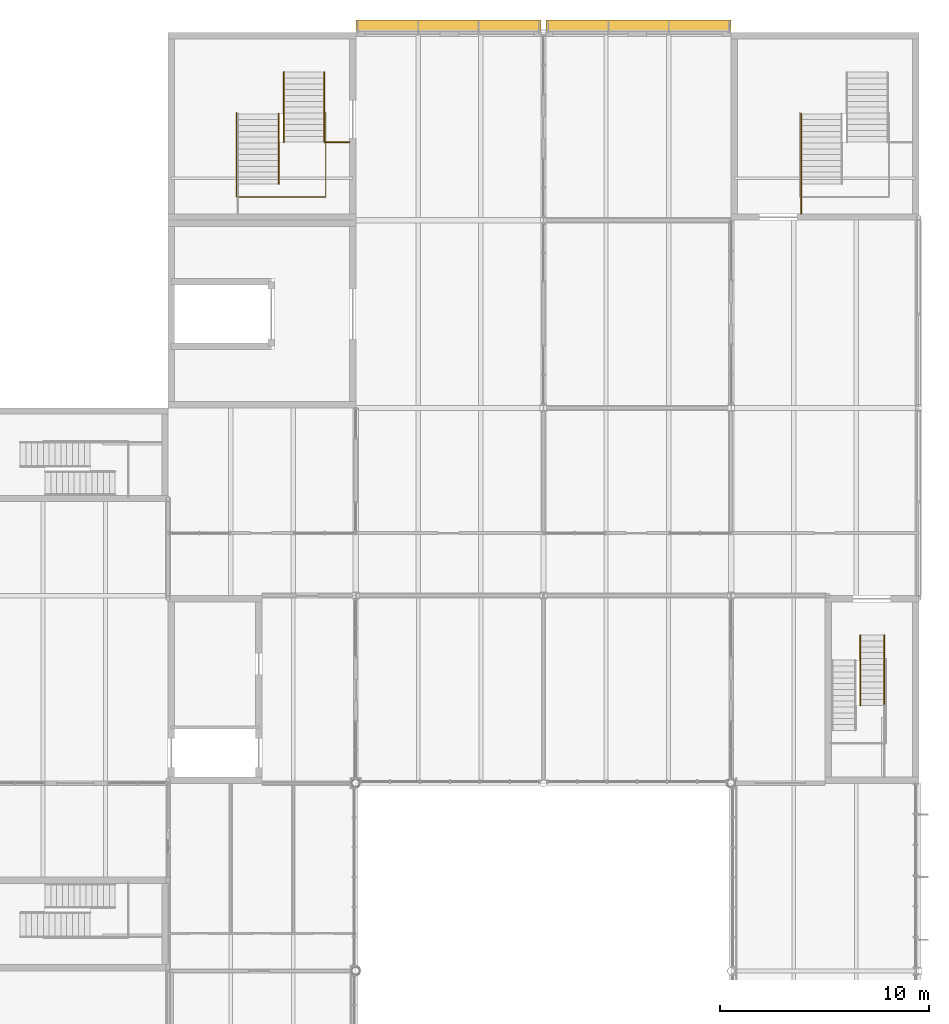
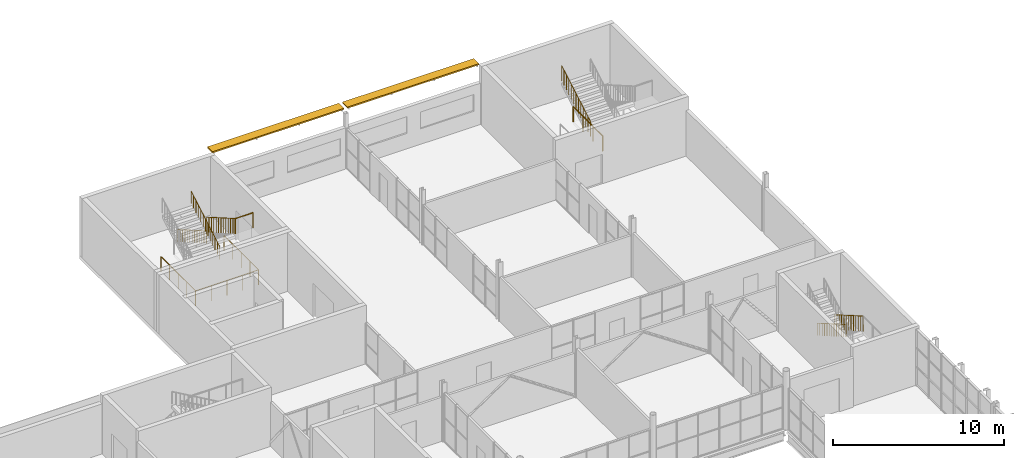
# One storey, part 56 of 57: 9 railings, 2 shading devices.
"""IFC4 building model written with IfcOpenShell, lengths in metres."""

from ifc_helpers import new_model, si_unit, direction, frame, origin, origin_2d, place, context, subcontext, project, spatial, rectangle, circle, extrude, material, layer, layer_set, type_object, element, save


model = new_model("IFC4")

# Units and contexts
model_context = context("Model", 3, precision=1e-05, world=origin(), true_north=direction((0.0, 1.0)))
body_context = subcontext(model_context, "Body", "Model", "MODEL_VIEW")
ifc_project = project(units=[si_unit("LENGTHUNIT", "METRE"), si_unit("AREAUNIT", "SQUARE_METRE"), si_unit("VOLUMEUNIT", "CUBIC_METRE"), si_unit("PLANEANGLEUNIT", "RADIAN"), si_unit("MASSUNIT", "GRAM", prefix="KILO")], contexts=[model_context])

# Site, building, storey
site_placement = place(None, origin())
site = spatial("IfcSite", under=ifc_project, at=site_placement, CompositionType="ELEMENT")
building_placement = place(site_placement, origin())
building = spatial("IfcBuilding", under=site, at=building_placement, Name="Halyard Row Museum", CompositionType="ELEMENT")
storey_placement = place(building_placement, frame((0.0, 0.0, 5.0)))
storey = spatial("IfcBuildingStorey", under=building, at=storey_placement, Name="L01", CompositionType="ELEMENT", Elevation=5.0)

# Railings
ifc_material_1 = material(Name="Steel Grade 300", Category="steel")
railing_type_1 = type_object("IfcRailingType", Name="Guard GR2 steel balustrade 1100", PredefinedType="GUARDRAIL", material=ifc_material_1)
railing_1_placement = place(storey_placement, frame((106.35009765625, 34.10009765625, 0.16162109375)))
element("IfcRailing", 1, at=railing_1_placement, inside=storey, type_object=railing_type_1, Name="Guard GR067", PredefinedType="GUARDRAIL", context=body_context, shape_type="SweptSolid", body=[
    extrude(circle(Radius=0.02392578125, at=origin_2d()), frame((0.0, 0.0, 1.076171875), z_axis=(0.0, -0.866424426198, 0.49930823515), x_axis=(1.0, 0.0, 0.0)), (0.0, 0.0, 1.0), 0.3232421875),
    extrude(circle(Radius=0.02392578125, at=origin_2d()), frame((0.0, -0.280029296875, 1.2373046875), z_axis=(0.0, -0.86609757561, 0.499874973892), x_axis=(1.0, 0.0, 0.0)), (0.0, 0.0, 1.0), 0.3232421875),
    extrude(circle(Radius=0.02392578125, at=origin_2d()), frame((0.0, -0.56005859375, 1.39892578125), z_axis=(0.0, -0.86609757561, 0.499874973892), x_axis=(1.0, 0.0, 0.0)), (0.0, 0.0, 1.0), 0.3232421875),
    extrude(circle(Radius=0.02392578125, at=origin_2d()), frame((0.0, -0.840087890625, 1.560546875), z_axis=(0.0, -0.866424426198, 0.49930823515), x_axis=(1.0, 0.0, 0.0)), (0.0, 0.0, 1.0), 0.3232421875),
    extrude(circle(Radius=0.02392578125, at=origin_2d()), frame((0.0, -1.1201171875, 1.72216796875), z_axis=(0.0, -0.86609757561, 0.499874973892), x_axis=(1.0, 0.0, 0.0)), (0.0, 0.0, 1.0), 0.3232421875),
    extrude(circle(Radius=0.02392578125, at=origin_2d()), frame((0.0, -1.400146484375, 1.8837890625), z_axis=(0.0, -0.86609757561, 0.499874973892), x_axis=(1.0, 0.0, 0.0)), (0.0, 0.0, 1.0), 0.3232421875),
    extrude(circle(Radius=0.02392578125, at=origin_2d()), frame((0.0, -1.68017578125, 2.04541015625), z_axis=(0.0, -0.866424426198, 0.49930823515), x_axis=(1.0, 0.0, 0.0)), (0.0, 0.0, 1.0), 0.3232421875),
    extrude(circle(Radius=0.02392578125, at=origin_2d()), frame((0.0, -1.960205078125, 2.20654296875), z_axis=(0.0, -0.865908710228, 0.500202064721), x_axis=(1.0, 0.0, 0.0)), (0.0, 0.0, 1.0), 0.322998046875),
    extrude(circle(Radius=0.02392578125, at=origin_2d()), frame((0.0, -2.239990234375, 2.3681640625), z_axis=(0.0, -0.86609757561, 0.499874973892), x_axis=(1.0, 0.0, 0.0)), (0.0, 0.0, 1.0), 0.3232421875),
    extrude(circle(Radius=0.02392578125, at=origin_2d()), frame((0.0, -2.52001953125, 2.52978515625), z_axis=(0.0, -0.866424426198, 0.49930823515), x_axis=(1.0, 0.0, 0.0)), (0.0, 0.0, 1.0), 0.3232421875),
    extrude(circle(Radius=0.02392578125, at=origin_2d()), frame((0.0, -2.800048828125, 2.69140625), z_axis=(0.0, -0.86609757561, 0.499874973892), x_axis=(1.0, 0.0, 0.0)), (0.0, 0.0, 1.0), 0.3232421875),
    extrude(circle(Radius=0.02392578125, at=origin_2d()), frame((0.0, -3.080078125, 2.85302734375), z_axis=(0.0, -0.86609757561, 0.499874973892), x_axis=(1.0, 0.0, 0.0)), (0.0, 0.0, 1.0), 0.3232421875),
    extrude(circle(Radius=0.02099609375, at=origin_2d()), origin(), (0.0, 0.0, 1.0), 1.052001953125),
    extrude(circle(Radius=0.02099609375, at=origin_2d()), frame((0.0, -0.280029296875, 0.161376953125)), (0.0, 0.0, 1.0), 1.052001953125),
    extrude(circle(Radius=0.02099609375, at=origin_2d()), frame((0.0, -0.56005859375, 0.322998046875)), (0.0, 0.0, 1.0), 1.052001953125),
    extrude(circle(Radius=0.02099609375, at=origin_2d()), frame((0.0, -0.840087890625, 0.484619140625)), (0.0, 0.0, 1.0), 1.052001953125),
    extrude(circle(Radius=0.02099609375, at=origin_2d()), frame((0.0, -1.1201171875, 0.64599609375)), (0.0, 0.0, 1.0), 1.052001953125),
    extrude(circle(Radius=0.02099609375, at=origin_2d()), frame((0.0, -1.400146484375, 0.8076171875)), (0.0, 0.0, 1.0), 1.052001953125),
    extrude(circle(Radius=0.02099609375, at=origin_2d()), frame((0.0, -1.68017578125, 0.96923828125)), (0.0, 0.0, 1.0), 1.052001953125),
    extrude(circle(Radius=0.02099609375, at=origin_2d()), frame((0.0, -1.960205078125, 1.130615234375)), (0.0, 0.0, 1.0), 1.052001953125),
    extrude(circle(Radius=0.02099609375, at=origin_2d()), frame((0.0, -2.239990234375, 1.292236328125)), (0.0, 0.0, 1.0), 1.052001953125),
    extrude(circle(Radius=0.02099609375, at=origin_2d()), frame((0.0, -2.52001953125, 1.453857421875)), (0.0, 0.0, 1.0), 1.052001953125),
    extrude(circle(Radius=0.02099609375, at=origin_2d()), frame((0.0, -2.800048828125, 1.615234375)), (0.0, 0.0, 1.0), 1.052001953125),
    extrude(circle(Radius=0.02099609375, at=origin_2d()), frame((0.0, -3.080078125, 1.77685546875)), (0.0, 0.0, 1.0), 1.052001953125),
    extrude(circle(Radius=0.02099609375, at=origin_2d()), frame((0.0, -3.360107421875, 1.9384765625)), (0.0, 0.0, 1.0), 1.052001953125),
])
railing_2_placement = place(storey_placement, frame((79.5, 61.10009765625, 0.16162109375)))
element("IfcRailing", 2, at=railing_2_placement, inside=storey, type_object=railing_type_1, Name="Guard GR104", PredefinedType="GUARDRAIL", context=body_context, shape_type="SweptSolid", body=[
    extrude(circle(Radius=0.02392578125, at=origin_2d()), frame((0.0, 0.0, 1.076171875), z_axis=(0.0, -0.866424426198, 0.49930823515), x_axis=(1.0, 0.0, 0.0)), (0.0, 0.0, 1.0), 0.3232421875),
    extrude(circle(Radius=0.02392578125, at=origin_2d()), frame((0.0, -0.280029296875, 1.2373046875), z_axis=(0.0, -0.86609757561, 0.499874973892), x_axis=(1.0, 0.0, 0.0)), (0.0, 0.0, 1.0), 0.3232421875),
    extrude(circle(Radius=0.02392578125, at=origin_2d()), frame((0.0, -0.56005859375, 1.39892578125), z_axis=(0.0, -0.86609757561, 0.499874973892), x_axis=(1.0, 0.0, 0.0)), (0.0, 0.0, 1.0), 0.3232421875),
    extrude(circle(Radius=0.02392578125, at=origin_2d()), frame((0.0, -0.840087890625, 1.560546875), z_axis=(0.0, -0.866424426198, 0.49930823515), x_axis=(1.0, 0.0, 0.0)), (0.0, 0.0, 1.0), 0.3232421875),
    extrude(circle(Radius=0.02392578125, at=origin_2d()), frame((0.0, -1.1201171875, 1.72216796875), z_axis=(0.0, -0.86609757561, 0.499874973892), x_axis=(1.0, 0.0, 0.0)), (0.0, 0.0, 1.0), 0.3232421875),
    extrude(circle(Radius=0.02392578125, at=origin_2d()), frame((0.0, -1.400146484375, 1.8837890625), z_axis=(0.0, -0.86609757561, 0.499874973892), x_axis=(1.0, 0.0, 0.0)), (0.0, 0.0, 1.0), 0.3232421875),
    extrude(circle(Radius=0.02392578125, at=origin_2d()), frame((0.0, -1.68017578125, 2.04541015625), z_axis=(0.0, -0.866424426198, 0.49930823515), x_axis=(1.0, 0.0, 0.0)), (0.0, 0.0, 1.0), 0.3232421875),
    extrude(circle(Radius=0.02392578125, at=origin_2d()), frame((0.0, -1.960205078125, 2.20654296875), z_axis=(0.0, -0.865908710228, 0.500202064721), x_axis=(1.0, 0.0, 0.0)), (0.0, 0.0, 1.0), 0.322998046875),
    extrude(circle(Radius=0.02392578125, at=origin_2d()), frame((0.0, -2.239990234375, 2.3681640625), z_axis=(0.0, -0.86609757561, 0.499874973892), x_axis=(1.0, 0.0, 0.0)), (0.0, 0.0, 1.0), 0.3232421875),
    extrude(circle(Radius=0.02392578125, at=origin_2d()), frame((0.0, -2.52001953125, 2.52978515625), z_axis=(0.0, -0.866424426198, 0.49930823515), x_axis=(1.0, 0.0, 0.0)), (0.0, 0.0, 1.0), 0.3232421875),
    extrude(circle(Radius=0.02392578125, at=origin_2d()), frame((0.0, -2.800048828125, 2.69140625), z_axis=(0.0, -0.86609757561, 0.499874973892), x_axis=(1.0, 0.0, 0.0)), (0.0, 0.0, 1.0), 0.3232421875),
    extrude(circle(Radius=0.02392578125, at=origin_2d()), frame((0.0, -3.080078125, 2.85302734375), z_axis=(0.0, -0.86609757561, 0.499874973892), x_axis=(1.0, 0.0, 0.0)), (0.0, 0.0, 1.0), 0.3232421875),
    extrude(circle(Radius=0.02099609375, at=origin_2d()), origin(), (0.0, 0.0, 1.0), 1.052001953125),
    extrude(circle(Radius=0.02099609375, at=origin_2d()), frame((0.0, -0.280029296875, 0.161376953125)), (0.0, 0.0, 1.0), 1.052001953125),
    extrude(circle(Radius=0.02099609375, at=origin_2d()), frame((0.0, -0.56005859375, 0.322998046875)), (0.0, 0.0, 1.0), 1.052001953125),
    extrude(circle(Radius=0.02099609375, at=origin_2d()), frame((0.0, -0.840087890625, 0.484619140625)), (0.0, 0.0, 1.0), 1.052001953125),
    extrude(circle(Radius=0.02099609375, at=origin_2d()), frame((0.0, -1.1201171875, 0.64599609375)), (0.0, 0.0, 1.0), 1.052001953125),
    extrude(circle(Radius=0.02099609375, at=origin_2d()), frame((0.0, -1.400146484375, 0.8076171875)), (0.0, 0.0, 1.0), 1.052001953125),
    extrude(circle(Radius=0.02099609375, at=origin_2d()), frame((0.0, -1.68017578125, 0.96923828125)), (0.0, 0.0, 1.0), 1.052001953125),
    extrude(circle(Radius=0.02099609375, at=origin_2d()), frame((0.0, -1.960205078125, 1.130615234375)), (0.0, 0.0, 1.0), 1.052001953125),
    extrude(circle(Radius=0.02099609375, at=origin_2d()), frame((0.0, -2.239990234375, 1.292236328125)), (0.0, 0.0, 1.0), 1.052001953125),
    extrude(circle(Radius=0.02099609375, at=origin_2d()), frame((0.0, -2.52001953125, 1.453857421875)), (0.0, 0.0, 1.0), 1.052001953125),
    extrude(circle(Radius=0.02099609375, at=origin_2d()), frame((0.0, -2.800048828125, 1.615234375)), (0.0, 0.0, 1.0), 1.052001953125),
    extrude(circle(Radius=0.02099609375, at=origin_2d()), frame((0.0, -3.080078125, 1.77685546875)), (0.0, 0.0, 1.0), 1.052001953125),
    extrude(circle(Radius=0.02099609375, at=origin_2d()), frame((0.0, -3.360107421875, 1.9384765625)), (0.0, 0.0, 1.0), 1.052001953125),
])
railing_3_placement = place(storey_placement, frame((80.699951171875, 57.739990234375, 2.10009765625)))
element("IfcRailing", 3, at=railing_3_placement, inside=storey, type_object=railing_type_1, Name="Guard GR106", PredefinedType="GUARDRAIL", context=body_context, shape_type="SweptSolid", body=[
    extrude(circle(Radius=0.02392578125, at=origin_2d()), frame((0.0, 0.0, 1.076171875), z_axis=(-1.0, 0.0, 0.0), x_axis=(0.0, -1.0, 0.0)), (0.0, 0.0, 1.0), 1.199951171875),
    extrude(circle(Radius=0.02099609375, at=origin_2d()), origin(), (0.0, 0.0, 1.0), 1.052001953125),
    extrude(circle(Radius=0.02099609375, at=origin_2d()), frame((-1.199951171875, 0.0, 0.0)), (0.0, 0.0, 1.0), 1.052001953125),
])
railing_4_placement = place(storey_placement, frame((102.35009765625, 55.739990234375, 2.261474609375)))
element("IfcRailing", 4, at=railing_4_placement, inside=storey, type_object=railing_type_1, Name="Guard GR121", PredefinedType="GUARDRAIL", context=body_context, shape_type="SweptSolid", body=[
    extrude(circle(Radius=0.02392578125, at=origin_2d()), frame((0.0, 0.0, 1.076171875), z_axis=(0.0, 0.86609757561, 0.499874973892), x_axis=(-1.0, 0.0, 0.0)), (0.0, 0.0, 1.0), 0.3232421875),
    extrude(circle(Radius=0.02392578125, at=origin_2d()), frame((0.0, 0.280029296875, 1.23779296875), z_axis=(0.0, 0.86609757561, 0.499874973892), x_axis=(-1.0, 0.0, 0.0)), (0.0, 0.0, 1.0), 0.3232421875),
    extrude(circle(Radius=0.02392578125, at=origin_2d()), frame((0.0, 0.56005859375, 1.3994140625), z_axis=(0.0, 0.866424426198, 0.49930823515), x_axis=(-1.0, 0.0, 0.0)), (0.0, 0.0, 1.0), 0.3232421875),
    extrude(circle(Radius=0.02392578125, at=origin_2d()), frame((0.0, 0.840087890625, 1.560546875), z_axis=(0.0, 0.86609757561, 0.499874973892), x_axis=(-1.0, 0.0, 0.0)), (0.0, 0.0, 1.0), 0.3232421875),
    extrude(circle(Radius=0.02392578125, at=origin_2d()), frame((0.0, 1.1201171875, 1.72216796875), z_axis=(0.0, 0.865908710228, 0.500202064721), x_axis=(-1.0, 0.0, 0.0)), (0.0, 0.0, 1.0), 0.322998046875),
    extrude(circle(Radius=0.02392578125, at=origin_2d()), frame((0.0, 1.39990234375, 1.8837890625), z_axis=(0.0, 0.866424426198, 0.49930823515), x_axis=(-1.0, 0.0, 0.0)), (0.0, 0.0, 1.0), 0.3232421875),
    extrude(circle(Radius=0.02392578125, at=origin_2d()), frame((0.0, 1.679931640625, 2.04541015625), z_axis=(0.0, 0.86609757561, 0.499874973892), x_axis=(-1.0, 0.0, 0.0)), (0.0, 0.0, 1.0), 0.3232421875),
    extrude(circle(Radius=0.02392578125, at=origin_2d()), frame((0.0, 1.9599609375, 2.20703125), z_axis=(0.0, 0.86609757561, 0.499874973892), x_axis=(-1.0, 0.0, 0.0)), (0.0, 0.0, 1.0), 0.3232421875),
    extrude(circle(Radius=0.02392578125, at=origin_2d()), frame((0.0, 2.239990234375, 2.36865234375), z_axis=(0.0, 0.866424426198, 0.49930823515), x_axis=(-1.0, 0.0, 0.0)), (0.0, 0.0, 1.0), 0.3232421875),
    extrude(circle(Radius=0.02392578125, at=origin_2d()), frame((0.0, 2.52001953125, 2.52978515625), z_axis=(0.0, 0.86609757561, 0.499874973892), x_axis=(-1.0, 0.0, 0.0)), (0.0, 0.0, 1.0), 0.3232421875),
    extrude(circle(Radius=0.02392578125, at=origin_2d()), frame((0.0, 2.800048828125, 2.69140625), z_axis=(0.0, 0.86609757561, 0.499874973892), x_axis=(-1.0, 0.0, 0.0)), (0.0, 0.0, 1.0), 0.3232421875),
    extrude(circle(Radius=0.02392578125, at=origin_2d()), frame((0.0, 3.080078125, 2.85302734375), z_axis=(0.0, 0.866424426198, 0.49930823515), x_axis=(-1.0, 0.0, 0.0)), (0.0, 0.0, 1.0), 0.3232421875),
    extrude(circle(Radius=0.02099609375, at=origin_2d()), origin(), (0.0, 0.0, 1.0), 1.052001953125),
    extrude(circle(Radius=0.02099609375, at=origin_2d()), frame((0.0, 0.280029296875, 0.16162109375)), (0.0, 0.0, 1.0), 1.052001953125),
    extrude(circle(Radius=0.02099609375, at=origin_2d()), frame((0.0, 0.56005859375, 0.3232421875)), (0.0, 0.0, 1.0), 1.052001953125),
    extrude(circle(Radius=0.02099609375, at=origin_2d()), frame((0.0, 0.840087890625, 0.484619140625)), (0.0, 0.0, 1.0), 1.052001953125),
    extrude(circle(Radius=0.02099609375, at=origin_2d()), frame((0.0, 1.1201171875, 0.646240234375)), (0.0, 0.0, 1.0), 1.052001953125),
    extrude(circle(Radius=0.02099609375, at=origin_2d()), frame((0.0, 1.39990234375, 0.807861328125)), (0.0, 0.0, 1.0), 1.052001953125),
    extrude(circle(Radius=0.02099609375, at=origin_2d()), frame((0.0, 1.679931640625, 0.96923828125)), (0.0, 0.0, 1.0), 1.052001953125),
    extrude(circle(Radius=0.02099609375, at=origin_2d()), frame((0.0, 1.9599609375, 1.130859375)), (0.0, 0.0, 1.0), 1.052001953125),
    extrude(circle(Radius=0.02099609375, at=origin_2d()), frame((0.0, 2.239990234375, 1.29248046875)), (0.0, 0.0, 1.0), 1.052001953125),
    extrude(circle(Radius=0.02099609375, at=origin_2d()), frame((0.0, 2.52001953125, 1.453857421875)), (0.0, 0.0, 1.0), 1.052001953125),
    extrude(circle(Radius=0.02099609375, at=origin_2d()), frame((0.0, 2.800048828125, 1.615478515625)), (0.0, 0.0, 1.0), 1.052001953125),
    extrude(circle(Radius=0.02099609375, at=origin_2d()), frame((0.0, 3.080078125, 1.777099609375)), (0.0, 0.0, 1.0), 1.052001953125),
    extrude(circle(Radius=0.02099609375, at=origin_2d()), frame((0.0, 3.360107421875, 1.9384765625)), (0.0, 0.0, 1.0), 1.052001953125),
])
railing_5_placement = place(storey_placement, frame((102.35009765625, 57.739990234375, 2.10009765625)))
element("IfcRailing", 5, at=railing_5_placement, inside=storey, type_object=railing_type_1, Name="Guard GR123", PredefinedType="GUARDRAIL", context=body_context, shape_type="SweptSolid", body=[
    extrude(circle(Radius=0.02392578125, at=origin_2d()), frame((0.0, 0.0, 1.076171875), z_axis=(0.0, -1.0, 0.0), x_axis=(1.0, 0.0, 0.0)), (0.0, 0.0, 1.0), 3.43994140625),
    extrude(circle(Radius=0.02099609375, at=origin_2d()), origin(), (0.0, 0.0, 1.0), 1.052001953125),
    extrude(circle(Radius=0.02099609375, at=origin_2d()), frame((0.0, -1.146728515625, 0.0)), (0.0, 0.0, 1.0), 1.052001953125),
    extrude(circle(Radius=0.02099609375, at=origin_2d()), frame((0.0, -2.293212890625, 0.0)), (0.0, 0.0, 1.0), 1.052001953125),
    extrude(circle(Radius=0.02099609375, at=origin_2d()), frame((0.0, -3.43994140625, 0.0)), (0.0, 0.0, 1.0), 1.052001953125),
])
railing_6_placement = place(storey_placement, frame((79.56005859375, 59.159912109375, 0.0)))
element("IfcRailing", 6, at=railing_6_placement, inside=storey, type_object=railing_type_1, Name="Guard GR182", PredefinedType="GUARDRAIL", context=body_context, shape_type="SweptSolid", body=[
    extrude(circle(Radius=0.02392578125, at=origin_2d()), frame((0.0, 0.0, 1.076171875), z_axis=(0.0, -1.0, 0.0), x_axis=(1.0, 0.0, 0.0)), (0.0, 0.0, 1.0), 4.039794921875),
    extrude(circle(Radius=0.02392578125, at=origin_2d()), frame((0.0, -4.039794921875, 1.076171875), z_axis=(-1.0, 0.0, 0.0), x_axis=(0.0, -1.0, 0.0)), (0.0, 0.0, 1.0), 4.27001953125),
    extrude(circle(Radius=0.02392578125, at=origin_2d()), frame((-4.27001953125, -4.039794921875, 1.076171875), z_axis=(0.0, 1.0, 0.0), x_axis=(-1.0, 0.0, 0.0)), (0.0, 0.0, 1.0), 4.039794921875),
    extrude(circle(Radius=0.02099609375, at=origin_2d()), origin(), (0.0, 0.0, 1.0), 1.052001953125),
    extrude(circle(Radius=0.02099609375, at=origin_2d()), frame((0.0, -1.010009765625, 0.0)), (0.0, 0.0, 1.0), 1.052001953125),
    extrude(circle(Radius=0.02099609375, at=origin_2d()), frame((0.0, -2.02001953125, 0.0)), (0.0, 0.0, 1.0), 1.052001953125),
    extrude(circle(Radius=0.02099609375, at=origin_2d()), frame((0.0, -3.02978515625, 0.0)), (0.0, 0.0, 1.0), 1.052001953125),
    extrude(circle(Radius=0.02099609375, at=origin_2d()), frame((0.0, -4.039794921875, 0.0)), (0.0, 0.0, 1.0), 1.052001953125),
    extrude(circle(Radius=0.02099609375, at=origin_2d()), frame((-1.0673828125, -4.039794921875, 0.0)), (0.0, 0.0, 1.0), 1.052001953125),
    extrude(circle(Radius=0.02099609375, at=origin_2d()), frame((-2.135009765625, -4.039794921875, 0.0)), (0.0, 0.0, 1.0), 1.052001953125),
    extrude(circle(Radius=0.02099609375, at=origin_2d()), frame((-3.20263671875, -4.039794921875, 0.0)), (0.0, 0.0, 1.0), 1.052001953125),
    extrude(circle(Radius=0.02099609375, at=origin_2d()), frame((-4.27001953125, -4.039794921875, 0.0)), (0.0, 0.0, 1.0), 1.052001953125),
    extrude(circle(Radius=0.02099609375, at=origin_2d()), frame((-4.27001953125, -3.02978515625, 0.0)), (0.0, 0.0, 1.0), 1.052001953125),
    extrude(circle(Radius=0.02099609375, at=origin_2d()), frame((-4.27001953125, -2.02001953125, 0.0)), (0.0, 0.0, 1.0), 1.052001953125),
    extrude(circle(Radius=0.02099609375, at=origin_2d()), frame((-4.27001953125, -1.010009765625, 0.0)), (0.0, 0.0, 1.0), 1.052001953125),
    extrude(circle(Radius=0.02099609375, at=origin_2d()), frame((-4.27001953125, 0.0, 0.0)), (0.0, 0.0, 1.0), 1.052001953125),
])
ifc_material_2 = material(Name="Steel Grade 300", Category="steel")
railing_type_2 = type_object("IfcRailingType", Name="Handrail HR2 steel 900", PredefinedType="HANDRAIL", material=ifc_material_2)
railing_7_placement = place(storey_placement, frame((105.199951171875, 34.10009765625, 0.16162109375)))
element("IfcRailing", 7, at=railing_7_placement, inside=storey, type_object=railing_type_2, Name="Handrail HR097", PredefinedType="HANDRAIL", context=body_context, shape_type="SweptSolid", body=[
    extrude(circle(Radius=0.02392578125, at=origin_2d()), frame((0.0, 0.0, 0.8759765625), z_axis=(0.0, -0.866424426198, 0.49930823515), x_axis=(1.0, 0.0, 0.0)), (0.0, 0.0, 1.0), 0.3232421875),
    extrude(circle(Radius=0.02392578125, at=origin_2d()), frame((0.0, -0.280029296875, 1.037109375), z_axis=(0.0, -0.86609757561, 0.499874973892), x_axis=(1.0, 0.0, 0.0)), (0.0, 0.0, 1.0), 0.3232421875),
    extrude(circle(Radius=0.02392578125, at=origin_2d()), frame((0.0, -0.56005859375, 1.19873046875), z_axis=(0.0, -0.86609757561, 0.499874973892), x_axis=(1.0, 0.0, 0.0)), (0.0, 0.0, 1.0), 0.3232421875),
    extrude(circle(Radius=0.02392578125, at=origin_2d()), frame((0.0, -0.840087890625, 1.3603515625), z_axis=(0.0, -0.866424426198, 0.49930823515), x_axis=(1.0, 0.0, 0.0)), (0.0, 0.0, 1.0), 0.3232421875),
    extrude(circle(Radius=0.02392578125, at=origin_2d()), frame((0.0, -1.1201171875, 1.52197265625), z_axis=(0.0, -0.86609757561, 0.499874973892), x_axis=(1.0, 0.0, 0.0)), (0.0, 0.0, 1.0), 0.3232421875),
    extrude(circle(Radius=0.02392578125, at=origin_2d()), frame((0.0, -1.400146484375, 1.68359375), z_axis=(0.0, -0.86609757561, 0.499874973892), x_axis=(1.0, 0.0, 0.0)), (0.0, 0.0, 1.0), 0.3232421875),
    extrude(circle(Radius=0.02392578125, at=origin_2d()), frame((0.0, -1.68017578125, 1.84521484375), z_axis=(0.0, -0.866424426198, 0.49930823515), x_axis=(1.0, 0.0, 0.0)), (0.0, 0.0, 1.0), 0.3232421875),
    extrude(circle(Radius=0.02392578125, at=origin_2d()), frame((0.0, -1.960205078125, 2.00634765625), z_axis=(0.0, -0.865908710228, 0.500202064721), x_axis=(1.0, 0.0, 0.0)), (0.0, 0.0, 1.0), 0.322998046875),
    extrude(circle(Radius=0.02392578125, at=origin_2d()), frame((0.0, -2.239990234375, 2.16796875), z_axis=(0.0, -0.86609757561, 0.499874973892), x_axis=(1.0, 0.0, 0.0)), (0.0, 0.0, 1.0), 0.3232421875),
    extrude(circle(Radius=0.02392578125, at=origin_2d()), frame((0.0, -2.52001953125, 2.32958984375), z_axis=(0.0, -0.866424426198, 0.49930823515), x_axis=(1.0, 0.0, 0.0)), (0.0, 0.0, 1.0), 0.3232421875),
    extrude(circle(Radius=0.02392578125, at=origin_2d()), frame((0.0, -2.800048828125, 2.4912109375), z_axis=(0.0, -0.86609757561, 0.499874973892), x_axis=(1.0, 0.0, 0.0)), (0.0, 0.0, 1.0), 0.3232421875),
    extrude(circle(Radius=0.02392578125, at=origin_2d()), frame((0.0, -3.080078125, 2.65283203125), z_axis=(0.0, -0.86609757561, 0.499874973892), x_axis=(1.0, 0.0, 0.0)), (0.0, 0.0, 1.0), 0.3232421875),
    extrude(circle(Radius=0.02099609375, at=origin_2d()), origin(), (0.0, 0.0, 1.0), 0.851806640625),
    extrude(circle(Radius=0.02099609375, at=origin_2d()), frame((0.0, -0.280029296875, 0.161376953125)), (0.0, 0.0, 1.0), 0.851806640625),
    extrude(circle(Radius=0.02099609375, at=origin_2d()), frame((0.0, -0.56005859375, 0.322998046875)), (0.0, 0.0, 1.0), 0.851806640625),
    extrude(circle(Radius=0.02099609375, at=origin_2d()), frame((0.0, -0.840087890625, 0.484619140625)), (0.0, 0.0, 1.0), 0.851806640625),
    extrude(circle(Radius=0.02099609375, at=origin_2d()), frame((0.0, -1.1201171875, 0.64599609375)), (0.0, 0.0, 1.0), 0.851806640625),
    extrude(circle(Radius=0.02099609375, at=origin_2d()), frame((0.0, -1.400146484375, 0.8076171875)), (0.0, 0.0, 1.0), 0.851806640625),
    extrude(circle(Radius=0.02099609375, at=origin_2d()), frame((0.0, -1.68017578125, 0.96923828125)), (0.0, 0.0, 1.0), 0.851806640625),
    extrude(circle(Radius=0.02099609375, at=origin_2d()), frame((0.0, -1.960205078125, 1.130615234375)), (0.0, 0.0, 1.0), 0.851806640625),
    extrude(circle(Radius=0.02099609375, at=origin_2d()), frame((0.0, -2.239990234375, 1.292236328125)), (0.0, 0.0, 1.0), 0.851806640625),
    extrude(circle(Radius=0.02099609375, at=origin_2d()), frame((0.0, -2.52001953125, 1.453857421875)), (0.0, 0.0, 1.0), 0.851806640625),
    extrude(circle(Radius=0.02099609375, at=origin_2d()), frame((0.0, -2.800048828125, 1.615234375)), (0.0, 0.0, 1.0), 0.851806640625),
    extrude(circle(Radius=0.02099609375, at=origin_2d()), frame((0.0, -3.080078125, 1.77685546875)), (0.0, 0.0, 1.0), 0.851806640625),
    extrude(circle(Radius=0.02099609375, at=origin_2d()), frame((0.0, -3.360107421875, 1.9384765625)), (0.0, 0.0, 1.0), 0.851806640625),
])
railing_8_placement = place(storey_placement, frame((77.550048828125, 61.10009765625, 0.16162109375)))
element("IfcRailing", 8, at=railing_8_placement, inside=storey, type_object=railing_type_2, Name="Handrail HR139", PredefinedType="HANDRAIL", context=body_context, shape_type="SweptSolid", body=[
    extrude(circle(Radius=0.02392578125, at=origin_2d()), frame((0.0, 0.0, 0.8759765625), z_axis=(0.0, -0.866424426198, 0.49930823515), x_axis=(1.0, 0.0, 0.0)), (0.0, 0.0, 1.0), 0.3232421875),
    extrude(circle(Radius=0.02392578125, at=origin_2d()), frame((0.0, -0.280029296875, 1.037109375), z_axis=(0.0, -0.86609757561, 0.499874973892), x_axis=(1.0, 0.0, 0.0)), (0.0, 0.0, 1.0), 0.3232421875),
    extrude(circle(Radius=0.02392578125, at=origin_2d()), frame((0.0, -0.56005859375, 1.19873046875), z_axis=(0.0, -0.86609757561, 0.499874973892), x_axis=(1.0, 0.0, 0.0)), (0.0, 0.0, 1.0), 0.3232421875),
    extrude(circle(Radius=0.02392578125, at=origin_2d()), frame((0.0, -0.840087890625, 1.3603515625), z_axis=(0.0, -0.866424426198, 0.49930823515), x_axis=(1.0, 0.0, 0.0)), (0.0, 0.0, 1.0), 0.3232421875),
    extrude(circle(Radius=0.02392578125, at=origin_2d()), frame((0.0, -1.1201171875, 1.52197265625), z_axis=(0.0, -0.86609757561, 0.499874973892), x_axis=(1.0, 0.0, 0.0)), (0.0, 0.0, 1.0), 0.3232421875),
    extrude(circle(Radius=0.02392578125, at=origin_2d()), frame((0.0, -1.400146484375, 1.68359375), z_axis=(0.0, -0.86609757561, 0.499874973892), x_axis=(1.0, 0.0, 0.0)), (0.0, 0.0, 1.0), 0.3232421875),
    extrude(circle(Radius=0.02392578125, at=origin_2d()), frame((0.0, -1.68017578125, 1.84521484375), z_axis=(0.0, -0.866424426198, 0.49930823515), x_axis=(1.0, 0.0, 0.0)), (0.0, 0.0, 1.0), 0.3232421875),
    extrude(circle(Radius=0.02392578125, at=origin_2d()), frame((0.0, -1.960205078125, 2.00634765625), z_axis=(0.0, -0.865908710228, 0.500202064721), x_axis=(1.0, 0.0, 0.0)), (0.0, 0.0, 1.0), 0.322998046875),
    extrude(circle(Radius=0.02392578125, at=origin_2d()), frame((0.0, -2.239990234375, 2.16796875), z_axis=(0.0, -0.86609757561, 0.499874973892), x_axis=(1.0, 0.0, 0.0)), (0.0, 0.0, 1.0), 0.3232421875),
    extrude(circle(Radius=0.02392578125, at=origin_2d()), frame((0.0, -2.52001953125, 2.32958984375), z_axis=(0.0, -0.866424426198, 0.49930823515), x_axis=(1.0, 0.0, 0.0)), (0.0, 0.0, 1.0), 0.3232421875),
    extrude(circle(Radius=0.02392578125, at=origin_2d()), frame((0.0, -2.800048828125, 2.4912109375), z_axis=(0.0, -0.86609757561, 0.499874973892), x_axis=(1.0, 0.0, 0.0)), (0.0, 0.0, 1.0), 0.3232421875),
    extrude(circle(Radius=0.02392578125, at=origin_2d()), frame((0.0, -3.080078125, 2.65283203125), z_axis=(0.0, -0.86609757561, 0.499874973892), x_axis=(1.0, 0.0, 0.0)), (0.0, 0.0, 1.0), 0.3232421875),
    extrude(circle(Radius=0.02099609375, at=origin_2d()), origin(), (0.0, 0.0, 1.0), 0.851806640625),
    extrude(circle(Radius=0.02099609375, at=origin_2d()), frame((0.0, -0.280029296875, 0.161376953125)), (0.0, 0.0, 1.0), 0.851806640625),
    extrude(circle(Radius=0.02099609375, at=origin_2d()), frame((0.0, -0.56005859375, 0.322998046875)), (0.0, 0.0, 1.0), 0.851806640625),
    extrude(circle(Radius=0.02099609375, at=origin_2d()), frame((0.0, -0.840087890625, 0.484619140625)), (0.0, 0.0, 1.0), 0.851806640625),
    extrude(circle(Radius=0.02099609375, at=origin_2d()), frame((0.0, -1.1201171875, 0.64599609375)), (0.0, 0.0, 1.0), 0.851806640625),
    extrude(circle(Radius=0.02099609375, at=origin_2d()), frame((0.0, -1.400146484375, 0.8076171875)), (0.0, 0.0, 1.0), 0.851806640625),
    extrude(circle(Radius=0.02099609375, at=origin_2d()), frame((0.0, -1.68017578125, 0.96923828125)), (0.0, 0.0, 1.0), 0.851806640625),
    extrude(circle(Radius=0.02099609375, at=origin_2d()), frame((0.0, -1.960205078125, 1.130615234375)), (0.0, 0.0, 1.0), 0.851806640625),
    extrude(circle(Radius=0.02099609375, at=origin_2d()), frame((0.0, -2.239990234375, 1.292236328125)), (0.0, 0.0, 1.0), 0.851806640625),
    extrude(circle(Radius=0.02099609375, at=origin_2d()), frame((0.0, -2.52001953125, 1.453857421875)), (0.0, 0.0, 1.0), 0.851806640625),
    extrude(circle(Radius=0.02099609375, at=origin_2d()), frame((0.0, -2.800048828125, 1.615234375)), (0.0, 0.0, 1.0), 0.851806640625),
    extrude(circle(Radius=0.02099609375, at=origin_2d()), frame((0.0, -3.080078125, 1.77685546875)), (0.0, 0.0, 1.0), 0.851806640625),
    extrude(circle(Radius=0.02099609375, at=origin_2d()), frame((0.0, -3.360107421875, 1.9384765625)), (0.0, 0.0, 1.0), 0.851806640625),
])
railing_9_placement = place(storey_placement, frame((77.300048828125, 55.739990234375, 2.261474609375)))
element("IfcRailing", 9, at=railing_9_placement, inside=storey, type_object=railing_type_2, Name="Handrail HR140", PredefinedType="HANDRAIL", context=body_context, shape_type="SweptSolid", body=[
    extrude(circle(Radius=0.02392578125, at=origin_2d()), frame((0.0, 0.0, 0.8759765625), z_axis=(0.0, 0.86609757561, 0.499874973892), x_axis=(-1.0, 0.0, 0.0)), (0.0, 0.0, 1.0), 0.3232421875),
    extrude(circle(Radius=0.02392578125, at=origin_2d()), frame((0.0, 0.280029296875, 1.03759765625), z_axis=(0.0, 0.86609757561, 0.499874973892), x_axis=(-1.0, 0.0, 0.0)), (0.0, 0.0, 1.0), 0.3232421875),
    extrude(circle(Radius=0.02392578125, at=origin_2d()), frame((0.0, 0.56005859375, 1.19921875), z_axis=(0.0, 0.866424426198, 0.49930823515), x_axis=(-1.0, 0.0, 0.0)), (0.0, 0.0, 1.0), 0.3232421875),
    extrude(circle(Radius=0.02392578125, at=origin_2d()), frame((0.0, 0.840087890625, 1.3603515625), z_axis=(0.0, 0.86609757561, 0.499874973892), x_axis=(-1.0, 0.0, 0.0)), (0.0, 0.0, 1.0), 0.3232421875),
    extrude(circle(Radius=0.02392578125, at=origin_2d()), frame((0.0, 1.1201171875, 1.52197265625), z_axis=(0.0, 0.865908710228, 0.500202064721), x_axis=(-1.0, 0.0, 0.0)), (0.0, 0.0, 1.0), 0.322998046875),
    extrude(circle(Radius=0.02392578125, at=origin_2d()), frame((0.0, 1.39990234375, 1.68359375), z_axis=(0.0, 0.866424426198, 0.49930823515), x_axis=(-1.0, 0.0, 0.0)), (0.0, 0.0, 1.0), 0.3232421875),
    extrude(circle(Radius=0.02392578125, at=origin_2d()), frame((0.0, 1.679931640625, 1.84521484375), z_axis=(0.0, 0.86609757561, 0.499874973892), x_axis=(-1.0, 0.0, 0.0)), (0.0, 0.0, 1.0), 0.3232421875),
    extrude(circle(Radius=0.02392578125, at=origin_2d()), frame((0.0, 1.9599609375, 2.0068359375), z_axis=(0.0, 0.86609757561, 0.499874973892), x_axis=(-1.0, 0.0, 0.0)), (0.0, 0.0, 1.0), 0.3232421875),
    extrude(circle(Radius=0.02392578125, at=origin_2d()), frame((0.0, 2.239990234375, 2.16845703125), z_axis=(0.0, 0.866424426198, 0.49930823515), x_axis=(-1.0, 0.0, 0.0)), (0.0, 0.0, 1.0), 0.3232421875),
    extrude(circle(Radius=0.02392578125, at=origin_2d()), frame((0.0, 2.52001953125, 2.32958984375), z_axis=(0.0, 0.86609757561, 0.499874973892), x_axis=(-1.0, 0.0, 0.0)), (0.0, 0.0, 1.0), 0.3232421875),
    extrude(circle(Radius=0.02392578125, at=origin_2d()), frame((0.0, 2.800048828125, 2.4912109375), z_axis=(0.0, 0.86609757561, 0.499874973892), x_axis=(-1.0, 0.0, 0.0)), (0.0, 0.0, 1.0), 0.3232421875),
    extrude(circle(Radius=0.02392578125, at=origin_2d()), frame((0.0, 3.080078125, 2.65283203125), z_axis=(0.0, 0.866424426198, 0.49930823515), x_axis=(-1.0, 0.0, 0.0)), (0.0, 0.0, 1.0), 0.3232421875),
    extrude(circle(Radius=0.02099609375, at=origin_2d()), origin(), (0.0, 0.0, 1.0), 0.851806640625),
    extrude(circle(Radius=0.02099609375, at=origin_2d()), frame((0.0, 0.280029296875, 0.16162109375)), (0.0, 0.0, 1.0), 0.851806640625),
    extrude(circle(Radius=0.02099609375, at=origin_2d()), frame((0.0, 0.56005859375, 0.3232421875)), (0.0, 0.0, 1.0), 0.851806640625),
    extrude(circle(Radius=0.02099609375, at=origin_2d()), frame((0.0, 0.840087890625, 0.484619140625)), (0.0, 0.0, 1.0), 0.851806640625),
    extrude(circle(Radius=0.02099609375, at=origin_2d()), frame((0.0, 1.1201171875, 0.646240234375)), (0.0, 0.0, 1.0), 0.851806640625),
    extrude(circle(Radius=0.02099609375, at=origin_2d()), frame((0.0, 1.39990234375, 0.807861328125)), (0.0, 0.0, 1.0), 0.851806640625),
    extrude(circle(Radius=0.02099609375, at=origin_2d()), frame((0.0, 1.679931640625, 0.96923828125)), (0.0, 0.0, 1.0), 0.851806640625),
    extrude(circle(Radius=0.02099609375, at=origin_2d()), frame((0.0, 1.9599609375, 1.130859375)), (0.0, 0.0, 1.0), 0.851806640625),
    extrude(circle(Radius=0.02099609375, at=origin_2d()), frame((0.0, 2.239990234375, 1.29248046875)), (0.0, 0.0, 1.0), 0.851806640625),
    extrude(circle(Radius=0.02099609375, at=origin_2d()), frame((0.0, 2.52001953125, 1.453857421875)), (0.0, 0.0, 1.0), 0.851806640625),
    extrude(circle(Radius=0.02099609375, at=origin_2d()), frame((0.0, 2.800048828125, 1.615478515625)), (0.0, 0.0, 1.0), 0.851806640625),
    extrude(circle(Radius=0.02099609375, at=origin_2d()), frame((0.0, 3.080078125, 1.777099609375)), (0.0, 0.0, 1.0), 0.851806640625),
    extrude(circle(Radius=0.02099609375, at=origin_2d()), frame((0.0, 3.360107421875, 1.9384765625)), (0.0, 0.0, 1.0), 0.851806640625),
])

# Shading devices
ifc_material_3 = material(Name="Glue-laminated timber GL12, oiled", Category="wood")
ifc_layer = layer(ifc_material_3, 0.10009765625)
ifc_layer_set = layer_set([ifc_layer], Name="Glue-laminated timber GL12, oiled")
shading_device_type = type_object("IfcShadingDeviceType", Name="Timber louvre blade 100 x 600", PredefinedType="USERDEFINED", material=ifc_layer_set)
for number, where, z_axis, x_axis, name in (
    (10, (94.5625, 63.300048828125, 4.135009765625), (0.0, 0.0, 1.0), (1.0, 0.0, 0.0), "Timber louvre"),
    (11, (85.4375, 63.300048828125, 4.135009765625), (0.0, 0.0, 1.0), (1.0, 0.0, 0.0), "Timber louvre"),
):
    element("IfcShadingDevice", number, at=place(storey_placement, frame(where, z_axis=z_axis, x_axis=x_axis)), inside=storey, type_object=shading_device_type, Name=name, ObjectType="LOUVRE", PredefinedType="USERDEFINED", context=body_context, shape_type="SweptSolid", body=[
        extrude(rectangle(XDim=8.875, YDim=0.60009765625, at=origin_2d()), origin(), (0.0, 0.0, 1.0), 0.10009765625),
    ])

save(model, "model.ifc")
